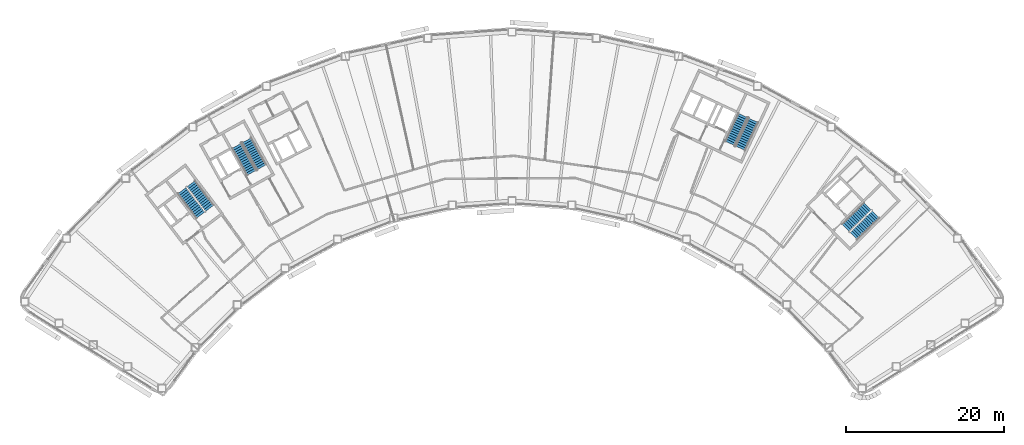
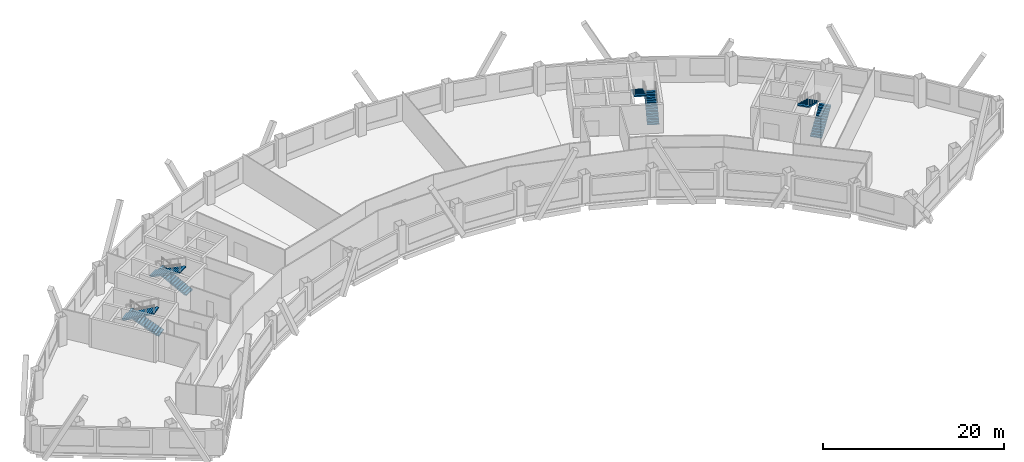
# One storey, part 9 of 11: 8 stair flights, 4 elements without a shape of their own.
"""IFC4 building model written with IfcOpenShell, lengths in metres."""

from ifc_helpers import new_model, si_unit, direction, frame, origin, place, context, subcontext, project, spatial, polyline, outline, extrude, material, type_object, element, aggregate, save


model = new_model("IFC4")

# Units and contexts
model_context = context("Model", 3, precision=1e-05, world=origin(), true_north=direction((0.0, 1.0)))
body_context = subcontext(model_context, "Body", "Model", "MODEL_VIEW")
ifc_project = project(units=[si_unit("LENGTHUNIT", "METRE"), si_unit("AREAUNIT", "SQUARE_METRE"), si_unit("VOLUMEUNIT", "CUBIC_METRE"), si_unit("PLANEANGLEUNIT", "RADIAN"), si_unit("MASSUNIT", "GRAM", prefix="KILO")], contexts=[model_context])

# Site, building, storey
site_placement = place(None, origin())
site = spatial("IfcSite", under=ifc_project, at=site_placement, CompositionType="ELEMENT")
building_placement = place(site_placement, origin())
building = spatial("IfcBuilding", under=site, at=building_placement, Name="Tuul Gate Civic Tower", CompositionType="ELEMENT")
storey_placement = place(building_placement, frame((0.0, 0.0, 155.0)))
storey = spatial("IfcBuildingStorey", under=building, at=storey_placement, Name="Level 35", CompositionType="ELEMENT", Elevation=155.0)

# Stair, stair flights
ifc_material_1 = material(Name="Concrete C40/50", Category="concrete")
stair_type = type_object("IfcStairType", Name="Exit stair", PredefinedType="HALF_TURN_STAIR", material=ifc_material_1)
stair_1_placement = place(storey_placement, origin())
stair_1 = element("IfcStair", 1, at=stair_1_placement, inside=storey, type_object=stair_type, Name="Level 35 ST-1", PredefinedType="HALF_TURN_STAIR")
ifc_material_2 = material(Name="Concrete C40/50", Category="concrete")
stair_flight_type = type_object("IfcStairFlightType", Name="Exit stair flight", PredefinedType="STRAIGHT", material=ifc_material_2)
stair_flight_1_placement = place(storey_placement, frame((-32.875244140625, -13.066650390625, 0.0), z_axis=(0.0, 0.0, 1.0), x_axis=(-0.605764474941, 0.795644016442, 0.0)))
stair_flight_1 = element("IfcStairFlight", 2, at=stair_flight_1_placement, type_object=stair_flight_type, Name="ST-1 flight 1", NumberOfRisers=14, NumberOfTreads=13, PredefinedType="STRAIGHT", RiserHeight=0.15, TreadLength=0.3, context=body_context, shape_type="SweptSolid", body=[
    extrude(outline(polyline([(0.0, 0.0), (0.0, 0.14990234375), (0.300048828125, 0.14990234375), (0.300048828125, 0.300048828125), (0.60009765625, 0.300048828125), (0.60009765625, 0.449951171875), (0.89990234375, 0.449951171875), (0.89990234375, 0.60009765625), (1.199951171875, 0.60009765625), (1.199951171875, 0.75), (1.5, 0.75), (1.5, 0.89990234375), (1.800048828125, 0.89990234375), (1.800048828125, 1.050048828125), (2.10009765625, 1.050048828125), (2.10009765625, 1.199951171875), (2.39990234375, 1.199951171875), (2.39990234375, 1.35009765625), (2.699951171875, 1.35009765625), (2.699951171875, 1.5), (3.0, 1.5), (3.0, 1.64990234375), (3.300048828125, 1.64990234375), (3.300048828125, 1.800048828125), (3.60009765625, 1.800048828125), (3.60009765625, 1.949951171875), (3.89990234375, 1.949951171875), (3.89990234375, 2.10009765625), (3.89990234375, 1.782470703125), (0.335205078125, 0.0), (0.0, 0.0)])), frame((0.0, 0.675048828125, 0.0), z_axis=(0.0, -1.0, 0.0), x_axis=(1.0, 0.0, 0.0)), (0.0, 0.0, 1.0), 1.35009765625),
])
stair_flight_2_placement = place(storey_placement, frame((-36.391357421875, -10.842041015625, 2.10009765625), z_axis=(0.0, 0.0, 1.0), x_axis=(0.605764474941, -0.795644016442, 0.0)))
stair_flight_2 = element("IfcStairFlight", 3, at=stair_flight_2_placement, type_object=stair_flight_type, Name="ST-1 flight 2", NumberOfRisers=14, NumberOfTreads=13, PredefinedType="STRAIGHT", RiserHeight=0.15, TreadLength=0.3, context=body_context, shape_type="SweptSolid", body=[
    extrude(outline(polyline([(0.0, 0.0), (0.0, 0.14990234375), (0.300048828125, 0.14990234375), (0.300048828125, 0.300048828125), (0.60009765625, 0.300048828125), (0.60009765625, 0.449951171875), (0.89990234375, 0.449951171875), (0.89990234375, 0.60009765625), (1.199951171875, 0.60009765625), (1.199951171875, 0.75), (1.5, 0.75), (1.5, 0.89990234375), (1.800048828125, 0.89990234375), (1.800048828125, 1.050048828125), (2.10009765625, 1.050048828125), (2.10009765625, 1.199951171875), (2.39990234375, 1.199951171875), (2.39990234375, 1.35009765625), (2.699951171875, 1.35009765625), (2.699951171875, 1.5), (3.0, 1.5), (3.0, 1.64990234375), (3.300048828125, 1.64990234375), (3.300048828125, 1.800048828125), (3.60009765625, 1.800048828125), (3.60009765625, 1.949951171875), (3.89990234375, 1.949951171875), (3.89990234375, 2.10009765625), (3.89990234375, 1.782470703125), (0.335205078125, 0.0), (0.0, 0.0)])), frame((0.0, 0.675048828125, 0.0), z_axis=(0.0, -1.0, 0.0), x_axis=(1.0, 0.0, 0.0)), (0.0, 0.0, 1.0), 1.35009765625),
])
aggregate(stair_1, [stair_flight_1, stair_flight_2])

stair_2_placement = place(storey_placement, origin())
stair_2 = element("IfcStair", 4, at=stair_2_placement, inside=storey, type_object=stair_type, Name="Level 35 ST-2", PredefinedType="HALF_TURN_STAIR")
stair_flight_3_placement = place(storey_placement, frame((-26.29150390625, -7.87646484375, 0.0), z_axis=(0.0, 0.0, 1.0), x_axis=(-0.484761763766, 0.874646232708, 0.0)))
stair_flight_3 = element("IfcStairFlight", 5, at=stair_flight_3_placement, type_object=stair_flight_type, Name="ST-2 flight 1", NumberOfRisers=14, NumberOfTreads=13, PredefinedType="STRAIGHT", RiserHeight=0.15, TreadLength=0.3, context=body_context, shape_type="SweptSolid", body=[
    extrude(outline(polyline([(0.0, 0.0), (0.0, 0.14990234375), (0.300048828125, 0.14990234375), (0.300048828125, 0.300048828125), (0.60009765625, 0.300048828125), (0.60009765625, 0.449951171875), (0.89990234375, 0.449951171875), (0.89990234375, 0.60009765625), (1.199951171875, 0.60009765625), (1.199951171875, 0.75), (1.5, 0.75), (1.5, 0.89990234375), (1.800048828125, 0.89990234375), (1.800048828125, 1.050048828125), (2.10009765625, 1.050048828125), (2.10009765625, 1.199951171875), (2.39990234375, 1.199951171875), (2.39990234375, 1.35009765625), (2.699951171875, 1.35009765625), (2.699951171875, 1.5), (3.0, 1.5), (3.0, 1.64990234375), (3.300048828125, 1.64990234375), (3.300048828125, 1.800048828125), (3.60009765625, 1.800048828125), (3.60009765625, 1.949951171875), (3.89990234375, 1.949951171875), (3.89990234375, 2.10009765625), (3.89990234375, 1.782470703125), (0.335205078125, 0.0), (0.0, 0.0)])), frame((0.0, 0.675048828125, 0.0), z_axis=(0.0, -1.0, 0.0), x_axis=(1.0, 0.0, 0.0)), (0.0, 0.0, 1.0), 1.35009765625),
])
stair_flight_4_placement = place(storey_placement, frame((-29.450439453125, -5.168212890625, 2.10009765625), z_axis=(0.0, 0.0, 1.0), x_axis=(0.484761763766, -0.874646232708, 0.0)))
stair_flight_4 = element("IfcStairFlight", 6, at=stair_flight_4_placement, type_object=stair_flight_type, Name="ST-2 flight 2", NumberOfRisers=14, NumberOfTreads=13, PredefinedType="STRAIGHT", RiserHeight=0.15, TreadLength=0.3, context=body_context, shape_type="SweptSolid", body=[
    extrude(outline(polyline([(0.0, 0.0), (0.0, 0.14990234375), (0.300048828125, 0.14990234375), (0.300048828125, 0.300048828125), (0.60009765625, 0.300048828125), (0.60009765625, 0.449951171875), (0.89990234375, 0.449951171875), (0.89990234375, 0.60009765625), (1.199951171875, 0.60009765625), (1.199951171875, 0.75), (1.5, 0.75), (1.5, 0.89990234375), (1.800048828125, 0.89990234375), (1.800048828125, 1.050048828125), (2.10009765625, 1.050048828125), (2.10009765625, 1.199951171875), (2.39990234375, 1.199951171875), (2.39990234375, 1.35009765625), (2.699951171875, 1.35009765625), (2.699951171875, 1.5), (3.0, 1.5), (3.0, 1.64990234375), (3.300048828125, 1.64990234375), (3.300048828125, 1.800048828125), (3.60009765625, 1.800048828125), (3.60009765625, 1.949951171875), (3.89990234375, 1.949951171875), (3.89990234375, 2.10009765625), (3.89990234375, 1.782470703125), (0.335205078125, 0.0), (0.0, 0.0)])), frame((0.0, 0.675048828125, 0.0), z_axis=(0.0, -1.0, 0.0), x_axis=(1.0, 0.0, 0.0)), (0.0, 0.0, 1.0), 1.35009765625),
])
aggregate(stair_2, [stair_flight_3, stair_flight_4])

stair_3_placement = place(storey_placement, origin())
stair_3 = element("IfcStair", 7, at=stair_3_placement, inside=storey, type_object=stair_type, Name="Level 35 ST-3", PredefinedType="HALF_TURN_STAIR")
stair_flight_5_placement = place(storey_placement, frame((48.61376953125, -16.581787109375, 0.0), z_axis=(0.0, 0.0, 1.0), x_axis=(0.714127290059, 0.700015866672, 0.0)))
stair_flight_5 = element("IfcStairFlight", 8, at=stair_flight_5_placement, type_object=stair_flight_type, Name="ST-3 flight 1", NumberOfRisers=14, NumberOfTreads=13, PredefinedType="STRAIGHT", RiserHeight=0.15, TreadLength=0.3, context=body_context, shape_type="SweptSolid", body=[
    extrude(outline(polyline([(0.0, 0.0), (0.0, 0.14990234375), (0.300048828125, 0.14990234375), (0.300048828125, 0.300048828125), (0.60009765625, 0.300048828125), (0.60009765625, 0.449951171875), (0.89990234375, 0.449951171875), (0.89990234375, 0.60009765625), (1.199951171875, 0.60009765625), (1.199951171875, 0.75), (1.5, 0.75), (1.5, 0.89990234375), (1.800048828125, 0.89990234375), (1.800048828125, 1.050048828125), (2.10009765625, 1.050048828125), (2.10009765625, 1.199951171875), (2.39990234375, 1.199951171875), (2.39990234375, 1.35009765625), (2.699951171875, 1.35009765625), (2.699951171875, 1.5), (3.0, 1.5), (3.0, 1.64990234375), (3.300048828125, 1.64990234375), (3.300048828125, 1.800048828125), (3.60009765625, 1.800048828125), (3.60009765625, 1.949951171875), (3.89990234375, 1.949951171875), (3.89990234375, 2.10009765625), (3.89990234375, 1.782470703125), (0.335205078125, 0.0), (0.0, 0.0)])), frame((0.0, 0.675048828125, 0.0), z_axis=(0.0, -1.0, 0.0), x_axis=(1.0, 0.0, 0.0)), (0.0, 0.0, 1.0), 1.35009765625),
])
stair_flight_6_placement = place(storey_placement, frame((50.3837890625, -12.816162109375, 2.10009765625), z_axis=(0.0, 0.0, 1.0), x_axis=(-0.714127290059, -0.700015866672, 0.0)))
stair_flight_6 = element("IfcStairFlight", 9, at=stair_flight_6_placement, type_object=stair_flight_type, Name="ST-3 flight 2", NumberOfRisers=14, NumberOfTreads=13, PredefinedType="STRAIGHT", RiserHeight=0.15, TreadLength=0.3, context=body_context, shape_type="SweptSolid", body=[
    extrude(outline(polyline([(0.0, 0.0), (0.0, 0.14990234375), (0.300048828125, 0.14990234375), (0.300048828125, 0.300048828125), (0.60009765625, 0.300048828125), (0.60009765625, 0.449951171875), (0.89990234375, 0.449951171875), (0.89990234375, 0.60009765625), (1.199951171875, 0.60009765625), (1.199951171875, 0.75), (1.5, 0.75), (1.5, 0.89990234375), (1.800048828125, 0.89990234375), (1.800048828125, 1.050048828125), (2.10009765625, 1.050048828125), (2.10009765625, 1.199951171875), (2.39990234375, 1.199951171875), (2.39990234375, 1.35009765625), (2.699951171875, 1.35009765625), (2.699951171875, 1.5), (3.0, 1.5), (3.0, 1.64990234375), (3.300048828125, 1.64990234375), (3.300048828125, 1.800048828125), (3.60009765625, 1.800048828125), (3.60009765625, 1.949951171875), (3.89990234375, 1.949951171875), (3.89990234375, 2.10009765625), (3.89990234375, 1.782470703125), (0.335205078125, 0.0), (0.0, 0.0)])), frame((0.0, 0.675048828125, 0.0), z_axis=(0.0, -1.0, 0.0), x_axis=(1.0, 0.0, 0.0)), (0.0, 0.0, 1.0), 1.35009765625),
])
aggregate(stair_3, [stair_flight_5, stair_flight_6])

stair_4_placement = place(storey_placement, origin())
stair_4 = element("IfcStair", 10, at=stair_4_placement, inside=storey, type_object=stair_type, Name="Level 35 ST-4", PredefinedType="HALF_TURN_STAIR")
stair_flight_7_placement = place(storey_placement, frame((34.278564453125, -5.478515625, 0.0), z_axis=(0.0, 0.0, 1.0), x_axis=(0.422576295988, 0.906327354806, 0.0)))
stair_flight_7 = element("IfcStairFlight", 11, at=stair_flight_7_placement, type_object=stair_flight_type, Name="ST-4 flight 1", NumberOfRisers=14, NumberOfTreads=13, PredefinedType="STRAIGHT", RiserHeight=0.15, TreadLength=0.3, context=body_context, shape_type="SweptSolid", body=[
    extrude(outline(polyline([(0.0, 0.0), (0.0, 0.14990234375), (0.300048828125, 0.14990234375), (0.300048828125, 0.300048828125), (0.60009765625, 0.300048828125), (0.60009765625, 0.449951171875), (0.89990234375, 0.449951171875), (0.89990234375, 0.60009765625), (1.199951171875, 0.60009765625), (1.199951171875, 0.75), (1.5, 0.75), (1.5, 0.89990234375), (1.800048828125, 0.89990234375), (1.800048828125, 1.050048828125), (2.10009765625, 1.050048828125), (2.10009765625, 1.199951171875), (2.39990234375, 1.199951171875), (2.39990234375, 1.35009765625), (2.699951171875, 1.35009765625), (2.699951171875, 1.5), (3.0, 1.5), (3.0, 1.64990234375), (3.300048828125, 1.64990234375), (3.300048828125, 1.800048828125), (3.60009765625, 1.800048828125), (3.60009765625, 1.949951171875), (3.89990234375, 1.949951171875), (3.89990234375, 2.10009765625), (3.89990234375, 1.782470703125), (0.335205078125, 0.0), (0.0, 0.0)])), frame((0.0, 0.675048828125, 0.0), z_axis=(0.0, -1.0, 0.0), x_axis=(1.0, 0.0, 0.0)), (0.0, 0.0, 1.0), 1.35009765625),
])
stair_flight_8_placement = place(storey_placement, frame((34.612548828125, -1.3310546875, 2.10009765625), z_axis=(0.0, 0.0, 1.0), x_axis=(-0.422576295988, -0.906327354806, 0.0)))
stair_flight_8 = element("IfcStairFlight", 12, at=stair_flight_8_placement, type_object=stair_flight_type, Name="ST-4 flight 2", NumberOfRisers=14, NumberOfTreads=13, PredefinedType="STRAIGHT", RiserHeight=0.15, TreadLength=0.3, context=body_context, shape_type="SweptSolid", body=[
    extrude(outline(polyline([(0.0, 0.0), (0.0, 0.14990234375), (0.300048828125, 0.14990234375), (0.300048828125, 0.300048828125), (0.60009765625, 0.300048828125), (0.60009765625, 0.449951171875), (0.89990234375, 0.449951171875), (0.89990234375, 0.60009765625), (1.199951171875, 0.60009765625), (1.199951171875, 0.75), (1.5, 0.75), (1.5, 0.89990234375), (1.800048828125, 0.89990234375), (1.800048828125, 1.050048828125), (2.10009765625, 1.050048828125), (2.10009765625, 1.199951171875), (2.39990234375, 1.199951171875), (2.39990234375, 1.35009765625), (2.699951171875, 1.35009765625), (2.699951171875, 1.5), (3.0, 1.5), (3.0, 1.64990234375), (3.300048828125, 1.64990234375), (3.300048828125, 1.800048828125), (3.60009765625, 1.800048828125), (3.60009765625, 1.949951171875), (3.89990234375, 1.949951171875), (3.89990234375, 2.10009765625), (3.89990234375, 1.782470703125), (0.335205078125, 0.0), (0.0, 0.0)])), frame((0.0, 0.675048828125, 0.0), z_axis=(0.0, -1.0, 0.0), x_axis=(1.0, 0.0, 0.0)), (0.0, 0.0, 1.0), 1.35009765625),
])
aggregate(stair_4, [stair_flight_7, stair_flight_8])

save(model, "model.ifc")
